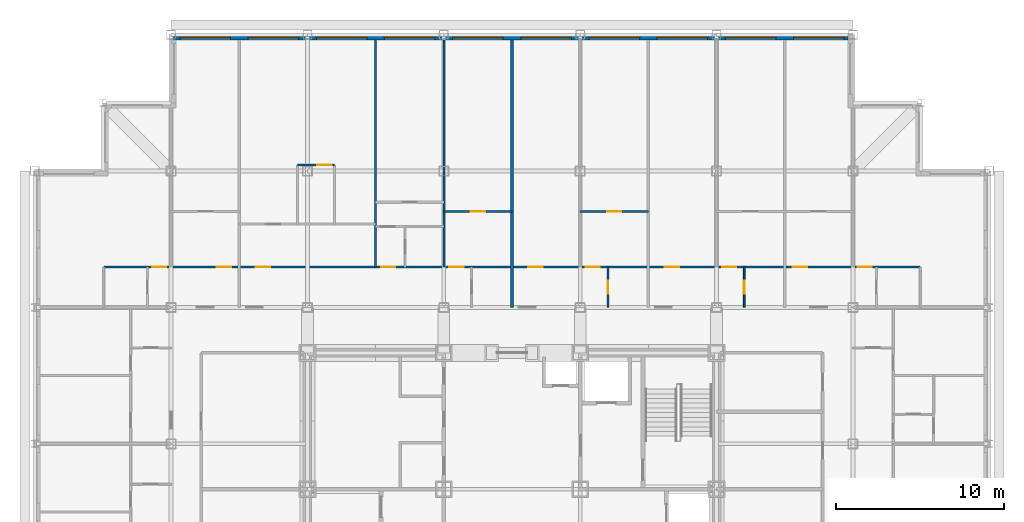
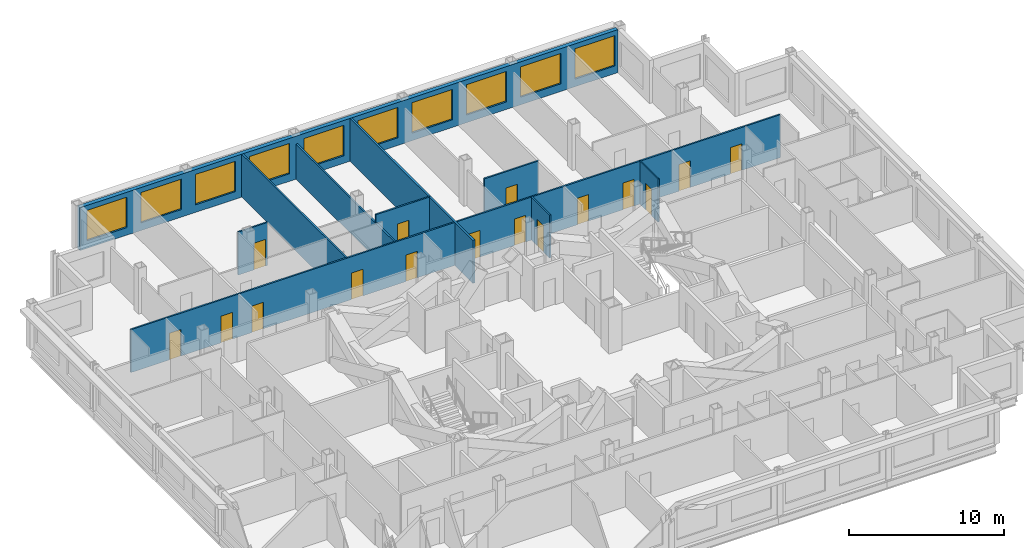
# One storey, part 10 of 12: 16 doors, 10 walls, 10 windows, 26 openings.
"""IFC4 building model written with IfcOpenShell, lengths in metres."""

from ifc_helpers import new_model, si_unit, direction, frame, frame_2d, origin, place, context, subcontext, project, spatial, rectangle, extrude, material, layer, layer_set, type_object, element, fill, save


model = new_model("IFC4")

# Units and contexts
model_context = context("Model", 3, precision=1e-05, world=origin(), true_north=direction((0.0, 1.0)))
body_context = subcontext(model_context, "Body", "Model", "MODEL_VIEW")
ifc_project = project(units=[si_unit("LENGTHUNIT", "METRE"), si_unit("AREAUNIT", "SQUARE_METRE"), si_unit("VOLUMEUNIT", "CUBIC_METRE"), si_unit("PLANEANGLEUNIT", "RADIAN"), si_unit("MASSUNIT", "GRAM", prefix="KILO")], contexts=[model_context])

# Site, building, storey
site_placement = place(None, origin())
site = spatial("IfcSite", under=ifc_project, at=site_placement, CompositionType="ELEMENT")
building_placement = place(site_placement, origin())
building = spatial("IfcBuilding", under=site, at=building_placement, Name="Kopane Lantern Tower", CompositionType="ELEMENT")
storey_placement = place(building_placement, frame((0.0, 0.0, 199.199951171875)))
storey = spatial("IfcBuildingStorey", under=building, at=storey_placement, Name="L51", CompositionType="ELEMENT", Elevation=199.199951171875)

# Walls
ifc_material_1 = material(Name="Gypsum board on steel studs", Category="steel")
ifc_layer_1 = layer(ifc_material_1, 0.1201171875)
ifc_layer_set_1 = layer_set([ifc_layer_1], Name="APARTMENT INTERNAL WALL 120")
wall_type_1 = type_object("IfcWallType", Name="APARTMENT INTERNAL WALL 120", PredefinedType="PARTITIONING", material=ifc_layer_set_1)
wall_1_placement = place(storey_placement, frame((20.25, 45.60009765625, 0.0), z_axis=(0.0, 0.0, 1.0), x_axis=(0.0, 1.0, 0.0)))
element("IfcWall", 1, at=wall_1_placement, inside=storey, type_object=wall_type_1, Name="Apartment Internal Wall 120 L51", PredefinedType="PARTITIONING", context=body_context, shape_type="SweptSolid", body=[
    extrude(rectangle(XDim=13.5, YDim=0.1201171875, at=frame_2d((6.75, 0.0))), origin(), (0.0, 0.0, 1.0), 3.39013671875),
])
wall_2_placement = place(storey_placement, frame((24.300048828125, 45.60009765625, 0.0), z_axis=(0.0, 0.0, 1.0), x_axis=(0.0, 1.0, 0.0)))
element("IfcWall", 2, at=wall_2_placement, inside=storey, type_object=wall_type_1, Name="Apartment Internal Wall 120 L51", PredefinedType="PARTITIONING", context=body_context, shape_type="SweptSolid", body=[
    extrude(rectangle(XDim=13.5, YDim=0.1201171875, at=frame_2d((6.75, 0.0))), origin(), (0.0, 0.0, 1.0), 2.77783203125),
])

# Wall, openings, doors
wall_3_placement = place(storey_placement, frame((4.10009765625, 45.60009765625, 0.0), z_axis=(0.0, 0.0, 1.0), x_axis=(1.0, 0.0, 0.0)))
wall_3 = element("IfcWall", 3, at=wall_3_placement, inside=storey, type_object=wall_type_1, Name="Apartment Internal Wall 120 L51", PredefinedType="PARTITIONING", context=body_context, shape_type="SweptSolid", body=[
    extrude(rectangle(XDim=48.5, YDim=0.1201171875, at=frame_2d((24.25, 0.0))), origin(), (0.0, 0.0, 1.0), 3.39013671875),
])
opening_1_placement = place(wall_3_placement, frame((9.02490234375, 0.0, 0.0)))
opening_1 = element("IfcOpeningElement", 4, at=opening_1_placement, cuts=wall_3, Name="Opening L51-028", PredefinedType="OPENING", context=body_context, shape_type="SweptSolid", body=[
    extrude(rectangle(XDim=0.85009765625, YDim=2.10009765625, at=frame_2d((0.425048828125, 1.050048828125))), frame((0.0, 0.070068359375, 0.0), z_axis=(0.0, -1.0, 0.0), x_axis=(1.0, 0.0, 0.0)), (0.0, 0.0, 1.0), 0.14013671875),
])
opening_2_placement = place(wall_3_placement, frame((16.47509765625, 0.0, 0.0)))
opening_2 = element("IfcOpeningElement", 5, at=opening_2_placement, cuts=wall_3, Name="Opening L51-030", PredefinedType="OPENING", context=body_context, shape_type="SweptSolid", body=[
    extrude(rectangle(XDim=0.85009765625, YDim=2.10009765625, at=frame_2d((0.425048828125, 1.050048828125))), frame((0.0, 0.070068359375, 0.0), z_axis=(0.0, -1.0, 0.0), x_axis=(1.0, 0.0, 0.0)), (0.0, 0.0, 1.0), 0.14013671875),
])
opening_3_placement = place(wall_3_placement, frame((20.52490234375, 0.0, 0.0)))
opening_3 = element("IfcOpeningElement", 6, at=opening_3_placement, cuts=wall_3, Name="Opening L51-031", PredefinedType="OPENING", context=body_context, shape_type="SweptSolid", body=[
    extrude(rectangle(XDim=0.85009765625, YDim=2.10009765625, at=frame_2d((0.425048828125, 1.050048828125))), frame((0.0, 0.070068359375, 0.0), z_axis=(0.0, -1.0, 0.0), x_axis=(1.0, 0.0, 0.0)), (0.0, 0.0, 1.0), 0.14013671875),
])
opening_4_placement = place(wall_3_placement, frame((25.22509765625, 0.0, 0.0)))
opening_4 = element("IfcOpeningElement", 7, at=opening_4_placement, cuts=wall_3, Name="Opening L51-034", PredefinedType="OPENING", context=body_context, shape_type="SweptSolid", body=[
    extrude(rectangle(XDim=0.85009765625, YDim=2.10009765625, at=frame_2d((0.425048828125, 1.050048828125))), frame((0.0, 0.070068359375, 0.0), z_axis=(0.0, -1.0, 0.0), x_axis=(1.0, 0.0, 0.0)), (0.0, 0.0, 1.0), 0.14013671875),
])
opening_5_placement = place(wall_3_placement, frame((28.625, 0.0, 0.0)))
opening_5 = element("IfcOpeningElement", 8, at=opening_5_placement, cuts=wall_3, Name="Opening L51-035", PredefinedType="OPENING", context=body_context, shape_type="SweptSolid", body=[
    extrude(rectangle(XDim=0.85009765625, YDim=2.10009765625, at=frame_2d((0.425048828125, 1.050048828125))), frame((0.0, 0.070068359375, 0.0), z_axis=(0.0, -1.0, 0.0), x_axis=(1.0, 0.0, 0.0)), (0.0, 0.0, 1.0), 0.14013671875),
])
opening_6_placement = place(wall_3_placement, frame((33.324951171875, 0.0, 0.0)))
opening_6 = element("IfcOpeningElement", 9, at=opening_6_placement, cuts=wall_3, Name="Opening L51-038", PredefinedType="OPENING", context=body_context, shape_type="SweptSolid", body=[
    extrude(rectangle(XDim=0.85009765625, YDim=2.10009765625, at=frame_2d((0.425048828125, 1.050048828125))), frame((0.0, 0.070068359375, 0.0), z_axis=(0.0, -1.0, 0.0), x_axis=(1.0, 0.0, 0.0)), (0.0, 0.0, 1.0), 0.14013671875),
])
opening_7_placement = place(wall_3_placement, frame((36.72509765625, 0.0, 0.0)))
opening_7 = element("IfcOpeningElement", 10, at=opening_7_placement, cuts=wall_3, Name="Opening L51-039", PredefinedType="OPENING", context=body_context, shape_type="SweptSolid", body=[
    extrude(rectangle(XDim=0.85009765625, YDim=2.10009765625, at=frame_2d((0.425048828125, 1.050048828125))), frame((0.0, 0.070068359375, 0.0), z_axis=(0.0, -1.0, 0.0), x_axis=(1.0, 0.0, 0.0)), (0.0, 0.0, 1.0), 0.14013671875),
])
opening_8_placement = place(wall_3_placement, frame((40.925048828125, 0.0, 0.0)))
opening_8 = element("IfcOpeningElement", 11, at=opening_8_placement, cuts=wall_3, Name="Opening L51-069", PredefinedType="OPENING", context=body_context, shape_type="SweptSolid", body=[
    extrude(rectangle(XDim=0.85009765625, YDim=2.10009765625, at=frame_2d((0.425048828125, 1.050048828125))), frame((0.0, 0.070068359375, 0.0), z_axis=(0.0, -1.0, 0.0), x_axis=(1.0, 0.0, 0.0)), (0.0, 0.0, 1.0), 0.14013671875),
])
opening_9_placement = place(wall_3_placement, frame((44.77490234375, 0.0, 0.0)))
opening_9 = element("IfcOpeningElement", 12, at=opening_9_placement, cuts=wall_3, Name="Opening L51-071", PredefinedType="OPENING", context=body_context, shape_type="SweptSolid", body=[
    extrude(rectangle(XDim=0.85009765625, YDim=2.10009765625, at=frame_2d((0.425048828125, 1.050048828125))), frame((0.0, 0.070068359375, 0.0), z_axis=(0.0, -1.0, 0.0), x_axis=(1.0, 0.0, 0.0)), (0.0, 0.0, 1.0), 0.14013671875),
])
opening_10_placement = place(wall_3_placement, frame((6.72509765625, 0.0, 0.0)))
opening_10 = element("IfcOpeningElement", 13, at=opening_10_placement, cuts=wall_3, Name="Opening L51-073", PredefinedType="OPENING", context=body_context, shape_type="SweptSolid", body=[
    extrude(rectangle(XDim=0.85009765625, YDim=2.10009765625, at=frame_2d((0.425048828125, 1.050048828125))), frame((0.0, 0.070068359375, 0.0), z_axis=(0.0, -1.0, 0.0), x_axis=(1.0, 0.0, 0.0)), (0.0, 0.0, 1.0), 0.14013671875),
])
opening_11_placement = place(wall_3_placement, frame((2.875, 0.0, 0.0)))
opening_11 = element("IfcOpeningElement", 14, at=opening_11_placement, cuts=wall_3, Name="Opening L51-075", PredefinedType="OPENING", context=body_context, shape_type="SweptSolid", body=[
    extrude(rectangle(XDim=0.85009765625, YDim=2.10009765625, at=frame_2d((0.425048828125, 1.050048828125))), frame((0.0, 0.070068359375, 0.0), z_axis=(0.0, -1.0, 0.0), x_axis=(1.0, 0.0, 0.0)), (0.0, 0.0, 1.0), 0.14013671875),
])
ifc_material_2 = material(Name="Timber door set", Category="wood")
door_type_1 = type_object("IfcDoorType", Name="DOOR D4 850x2100", OperationType="SINGLE_SWING_LEFT", PredefinedType="DOOR", material=ifc_material_2)
door_1_placement = place(opening_1_placement, origin())
door_1 = element("IfcDoor", 15, at=door_1_placement, inside=storey, type_object=door_type_1, Name="Door L51-028", OperationType="SINGLE_SWING_LEFT", OverallHeight=2.10009765625, OverallWidth=0.85009765625, PredefinedType="DOOR", context=body_context, shape_type="SweptSolid", body=[
    extrude(rectangle(XDim=0.85009765625, YDim=2.10009765625, at=frame_2d((0.425048828125, 1.050048828125))), frame((0.0, 0.02490234375, 0.0), z_axis=(0.0, -1.0, 0.0), x_axis=(1.0, 0.0, 0.0)), (0.0, 0.0, 1.0), 0.050048828125),
])
fill(opening_1, door_1)
door_2_placement = place(opening_2_placement, origin())
door_2 = element("IfcDoor", 16, at=door_2_placement, inside=storey, type_object=door_type_1, Name="Door L51-030", OperationType="SINGLE_SWING_LEFT", OverallHeight=2.10009765625, OverallWidth=0.85009765625, PredefinedType="DOOR", context=body_context, shape_type="SweptSolid", body=[
    extrude(rectangle(XDim=0.85009765625, YDim=2.10009765625, at=frame_2d((0.425048828125, 1.050048828125))), frame((0.0, 0.02490234375, 0.0), z_axis=(0.0, -1.0, 0.0), x_axis=(1.0, 0.0, 0.0)), (0.0, 0.0, 1.0), 0.050048828125),
])
fill(opening_2, door_2)
door_3_placement = place(opening_3_placement, origin())
door_3 = element("IfcDoor", 17, at=door_3_placement, inside=storey, type_object=door_type_1, Name="Door L51-031", OperationType="SINGLE_SWING_LEFT", OverallHeight=2.10009765625, OverallWidth=0.85009765625, PredefinedType="DOOR", context=body_context, shape_type="SweptSolid", body=[
    extrude(rectangle(XDim=0.85009765625, YDim=2.10009765625, at=frame_2d((0.425048828125, 1.050048828125))), frame((0.0, 0.02490234375, 0.0), z_axis=(0.0, -1.0, 0.0), x_axis=(1.0, 0.0, 0.0)), (0.0, 0.0, 1.0), 0.050048828125),
])
fill(opening_3, door_3)
door_4_placement = place(opening_4_placement, origin())
door_4 = element("IfcDoor", 18, at=door_4_placement, inside=storey, type_object=door_type_1, Name="Door L51-034", OperationType="SINGLE_SWING_RIGHT", OverallHeight=2.10009765625, OverallWidth=0.85009765625, PredefinedType="DOOR", context=body_context, shape_type="SweptSolid", body=[
    extrude(rectangle(XDim=0.85009765625, YDim=2.10009765625, at=frame_2d((0.425048828125, 1.050048828125))), frame((0.0, 0.02490234375, 0.0), z_axis=(0.0, -1.0, 0.0), x_axis=(1.0, 0.0, 0.0)), (0.0, 0.0, 1.0), 0.050048828125),
])
fill(opening_4, door_4)
door_5_placement = place(opening_5_placement, origin())
door_5 = element("IfcDoor", 19, at=door_5_placement, inside=storey, type_object=door_type_1, Name="Door L51-035", OperationType="SINGLE_SWING_LEFT", OverallHeight=2.10009765625, OverallWidth=0.85009765625, PredefinedType="DOOR", context=body_context, shape_type="SweptSolid", body=[
    extrude(rectangle(XDim=0.85009765625, YDim=2.10009765625, at=frame_2d((0.425048828125, 1.050048828125))), frame((0.0, 0.02490234375, 0.0), z_axis=(0.0, -1.0, 0.0), x_axis=(1.0, 0.0, 0.0)), (0.0, 0.0, 1.0), 0.050048828125),
])
fill(opening_5, door_5)
door_6_placement = place(opening_6_placement, origin())
door_6 = element("IfcDoor", 20, at=door_6_placement, inside=storey, type_object=door_type_1, Name="Door L51-038", OperationType="SINGLE_SWING_RIGHT", OverallHeight=2.10009765625, OverallWidth=0.85009765625, PredefinedType="DOOR", context=body_context, shape_type="SweptSolid", body=[
    extrude(rectangle(XDim=0.85009765625, YDim=2.10009765625, at=frame_2d((0.425048828125, 1.050048828125))), frame((0.0, 0.02490234375, 0.0), z_axis=(0.0, -1.0, 0.0), x_axis=(1.0, 0.0, 0.0)), (0.0, 0.0, 1.0), 0.050048828125),
])
fill(opening_6, door_6)
door_7_placement = place(opening_7_placement, origin())
door_7 = element("IfcDoor", 21, at=door_7_placement, inside=storey, type_object=door_type_1, Name="Door L51-039", OperationType="SINGLE_SWING_LEFT", OverallHeight=2.10009765625, OverallWidth=0.85009765625, PredefinedType="DOOR", context=body_context, shape_type="SweptSolid", body=[
    extrude(rectangle(XDim=0.85009765625, YDim=2.10009765625, at=frame_2d((0.425048828125, 1.050048828125))), frame((0.0, 0.02490234375, 0.0), z_axis=(0.0, -1.0, 0.0), x_axis=(1.0, 0.0, 0.0)), (0.0, 0.0, 1.0), 0.050048828125),
])
fill(opening_7, door_7)
door_8_placement = place(opening_8_placement, origin())
door_8 = element("IfcDoor", 22, at=door_8_placement, inside=storey, type_object=door_type_1, Name="Door L51-069", OperationType="SINGLE_SWING_RIGHT", OverallHeight=2.10009765625, OverallWidth=0.85009765625, PredefinedType="DOOR", context=body_context, shape_type="SweptSolid", body=[
    extrude(rectangle(XDim=0.85009765625, YDim=2.10009765625, at=frame_2d((0.425048828125, 1.050048828125))), frame((0.0, 0.02490234375, 0.0), z_axis=(0.0, -1.0, 0.0), x_axis=(1.0, 0.0, 0.0)), (0.0, 0.0, 1.0), 0.050048828125),
])
fill(opening_8, door_8)
door_9_placement = place(opening_9_placement, origin())
door_9 = element("IfcDoor", 23, at=door_9_placement, inside=storey, type_object=door_type_1, Name="Door L51-071", OperationType="SINGLE_SWING_LEFT", OverallHeight=2.10009765625, OverallWidth=0.85009765625, PredefinedType="DOOR", context=body_context, shape_type="SweptSolid", body=[
    extrude(rectangle(XDim=0.85009765625, YDim=2.10009765625, at=frame_2d((0.425048828125, 1.050048828125))), frame((0.0, 0.02490234375, 0.0), z_axis=(0.0, -1.0, 0.0), x_axis=(1.0, 0.0, 0.0)), (0.0, 0.0, 1.0), 0.050048828125),
])
fill(opening_9, door_9)
door_10_placement = place(opening_10_placement, origin())
door_10 = element("IfcDoor", 24, at=door_10_placement, inside=storey, type_object=door_type_1, Name="Door L51-073", OperationType="SINGLE_SWING_LEFT", OverallHeight=2.10009765625, OverallWidth=0.85009765625, PredefinedType="DOOR", context=body_context, shape_type="SweptSolid", body=[
    extrude(rectangle(XDim=0.85009765625, YDim=2.10009765625, at=frame_2d((0.425048828125, 1.050048828125))), frame((0.0, 0.02490234375, 0.0), z_axis=(0.0, -1.0, 0.0), x_axis=(1.0, 0.0, 0.0)), (0.0, 0.0, 1.0), 0.050048828125),
])
fill(opening_10, door_10)
door_11_placement = place(opening_11_placement, origin())
door_11 = element("IfcDoor", 25, at=door_11_placement, inside=storey, type_object=door_type_1, Name="Door L51-075", OperationType="SINGLE_SWING_RIGHT", OverallHeight=2.10009765625, OverallWidth=0.85009765625, PredefinedType="DOOR", context=body_context, shape_type="SweptSolid", body=[
    extrude(rectangle(XDim=0.85009765625, YDim=2.10009765625, at=frame_2d((0.425048828125, 1.050048828125))), frame((0.0, 0.02490234375, 0.0), z_axis=(0.0, -1.0, 0.0), x_axis=(1.0, 0.0, 0.0)), (0.0, 0.0, 1.0), 0.050048828125),
])
fill(opening_11, door_11)

# Wall, opening, door
wall_4_placement = place(storey_placement, frame((24.300048828125, 48.89990234375, 0.0), z_axis=(0.0, 0.0, 1.0), x_axis=(1.0, 0.0, 0.0)))
wall_4 = element("IfcWall", 26, at=wall_4_placement, inside=storey, type_object=wall_type_1, Name="Apartment Internal Wall 120 L51", PredefinedType="PARTITIONING", context=body_context, shape_type="SweptSolid", body=[
    extrude(rectangle(XDim=4.050048828125, YDim=0.1201171875, at=frame_2d((2.02490234375, 0.0))), origin(), (0.0, 0.0, 1.0), 3.39013671875),
])
opening_12_placement = place(wall_4_placement, frame((1.60009765625, 0.0, 0.0)))
opening_12 = element("IfcOpeningElement", 27, at=opening_12_placement, cuts=wall_4, Name="Opening L51-080", PredefinedType="OPENING", context=body_context, shape_type="SweptSolid", body=[
    extrude(rectangle(XDim=0.85009765625, YDim=2.10009765625, at=frame_2d((0.425048828125, 1.050048828125))), frame((0.0, 0.070068359375, 0.0), z_axis=(0.0, -1.0, 0.0), x_axis=(1.0, 0.0, 0.0)), (0.0, 0.0, 1.0), 0.14013671875),
])
door_12_placement = place(opening_12_placement, origin())
door_12 = element("IfcDoor", 28, at=door_12_placement, inside=storey, type_object=door_type_1, Name="Door L51-080", OperationType="SINGLE_SWING_RIGHT", OverallHeight=2.10009765625, OverallWidth=0.85009765625, PredefinedType="DOOR", context=body_context, shape_type="SweptSolid", body=[
    extrude(rectangle(XDim=0.85009765625, YDim=2.10009765625, at=frame_2d((0.425048828125, 1.050048828125))), frame((0.0, 0.02490234375, 0.0), z_axis=(0.0, -1.0, 0.0), x_axis=(1.0, 0.0, 0.0)), (0.0, 0.0, 1.0), 0.050048828125),
])
fill(opening_12, door_12)

wall_5_placement = place(storey_placement, frame((32.39990234375, 48.89990234375, 0.0), z_axis=(0.0, 0.0, 1.0), x_axis=(1.0, 0.0, 0.0)))
wall_5 = element("IfcWall", 29, at=wall_5_placement, inside=storey, type_object=wall_type_1, Name="Apartment Internal Wall 120 L51", PredefinedType="PARTITIONING", context=body_context, shape_type="SweptSolid", body=[
    extrude(rectangle(XDim=4.050048828125, YDim=0.1201171875, at=frame_2d((2.02490234375, 0.0))), origin(), (0.0, 0.0, 1.0), 3.39013671875),
])
opening_13_placement = place(wall_5_placement, frame((1.60009765625, 0.0, 0.0)))
opening_13 = element("IfcOpeningElement", 30, at=opening_13_placement, cuts=wall_5, Name="Opening L51-081", PredefinedType="OPENING", context=body_context, shape_type="SweptSolid", body=[
    extrude(rectangle(XDim=0.85009765625, YDim=2.10009765625, at=frame_2d((0.425048828125, 1.050048828125))), frame((0.0, 0.070068359375, 0.0), z_axis=(0.0, -1.0, 0.0), x_axis=(1.0, 0.0, 0.0)), (0.0, 0.0, 1.0), 0.14013671875),
])
door_13_placement = place(opening_13_placement, origin())
door_13 = element("IfcDoor", 31, at=door_13_placement, inside=storey, type_object=door_type_1, Name="Door L51-081", OperationType="SINGLE_SWING_RIGHT", OverallHeight=2.10009765625, OverallWidth=0.85009765625, PredefinedType="DOOR", context=body_context, shape_type="SweptSolid", body=[
    extrude(rectangle(XDim=0.85009765625, YDim=2.10009765625, at=frame_2d((0.425048828125, 1.050048828125))), frame((0.0, 0.02490234375, 0.0), z_axis=(0.0, -1.0, 0.0), x_axis=(1.0, 0.0, 0.0)), (0.0, 0.0, 1.0), 0.050048828125),
])
fill(opening_13, door_13)

wall_6_placement = place(storey_placement, frame((15.60009765625, 51.659912109375, 0.0), z_axis=(0.0, 0.0, 1.0), x_axis=(1.0, 0.0, 0.0)))
wall_6 = element("IfcWall", 32, at=wall_6_placement, inside=storey, type_object=wall_type_1, Name="Apartment Internal Wall 120 L51", PredefinedType="PARTITIONING", context=body_context, shape_type="SweptSolid", body=[
    extrude(rectangle(XDim=2.199951171875, YDim=0.1201171875, at=frame_2d((1.10009765625, 0.0))), origin(), (0.0, 0.0, 1.0), 3.39013671875),
])
opening_14_placement = place(wall_6_placement, frame((1.18994140625, 0.0, 0.0)))
opening_14 = element("IfcOpeningElement", 33, at=opening_14_placement, cuts=wall_6, Name="Opening L51-085", PredefinedType="OPENING", context=body_context, shape_type="SweptSolid", body=[
    extrude(rectangle(XDim=0.85009765625, YDim=2.10009765625, at=frame_2d((0.425048828125, 1.050048828125))), frame((0.0, 0.070068359375, 0.0), z_axis=(0.0, -1.0, 0.0), x_axis=(1.0, 0.0, 0.0)), (0.0, 0.0, 1.0), 0.14013671875),
])
door_14_placement = place(opening_14_placement, origin())
door_14 = element("IfcDoor", 34, at=door_14_placement, inside=storey, type_object=door_type_1, Name="Door L51-085", OperationType="SINGLE_SWING_LEFT", OverallHeight=2.10009765625, OverallWidth=0.85009765625, PredefinedType="DOOR", context=body_context, shape_type="SweptSolid", body=[
    extrude(rectangle(XDim=0.85009765625, YDim=2.10009765625, at=frame_2d((0.425048828125, 1.050048828125))), frame((0.0, 0.02490234375, 0.0), z_axis=(0.0, -1.0, 0.0), x_axis=(1.0, 0.0, 0.0)), (0.0, 0.0, 1.0), 0.050048828125),
])
fill(opening_14, door_14)

ifc_material_3 = material(Name="Moisture-resistant board on steel studs", Category="steel")
ifc_layer_2 = layer(ifc_material_3, 0.10009765625)
ifc_layer_set_2 = layer_set([ifc_layer_2], Name="BATHROOM WALL 100")
wall_type_2 = type_object("IfcWallType", Name="BATHROOM WALL 100", PredefinedType="PARTITIONING", material=ifc_layer_set_2)
wall_7_placement = place(storey_placement, frame((34.050048828125, 43.199951171875, 0.0), z_axis=(0.0, 0.0, 1.0), x_axis=(0.0, 1.0, 0.0)))
wall_7 = element("IfcWall", 35, at=wall_7_placement, inside=storey, type_object=wall_type_2, Name="Bathroom Wall 100 L51", PredefinedType="PARTITIONING", context=body_context, shape_type="SweptSolid", body=[
    extrude(rectangle(XDim=2.400146484375, YDim=0.10009765625, at=frame_2d((1.2001953125, 0.0))), origin(), (0.0, 0.0, 1.0), 3.39013671875),
])
opening_15_placement = place(wall_7_placement, frame((0.800048828125, 0.0, 0.0)))
opening_15 = element("IfcOpeningElement", 36, at=opening_15_placement, cuts=wall_7, Name="Opening L51-032", PredefinedType="OPENING", context=body_context, shape_type="SweptSolid", body=[
    extrude(rectangle(XDim=0.800048828125, YDim=2.10009765625, at=frame_2d((0.39990234375, 1.050048828125))), frame((0.0, 0.06005859375, 0.0), z_axis=(0.0, -1.0, 0.0), x_axis=(1.0, 0.0, 0.0)), (0.0, 0.0, 1.0), 0.1201171875),
])
ifc_material_4 = material(Name="Timber door set", Category="wood")
door_type_2 = type_object("IfcDoorType", Name="DOOR D2 800x2100", OperationType="SINGLE_SWING_LEFT", PredefinedType="DOOR", material=ifc_material_4)
door_15_placement = place(opening_15_placement, origin())
door_15 = element("IfcDoor", 37, at=door_15_placement, inside=storey, type_object=door_type_2, Name="Door L51-032", OperationType="SINGLE_SWING_RIGHT", OverallHeight=2.10009765625, OverallWidth=0.800048828125, PredefinedType="DOOR", context=body_context, shape_type="SweptSolid", body=[
    extrude(rectangle(XDim=0.800048828125, YDim=2.10009765625, at=frame_2d((0.39990234375, 1.050048828125))), frame((0.0, 0.02490234375, 0.0), z_axis=(0.0, -1.0, 0.0), x_axis=(1.0, 0.0, 0.0)), (0.0, 0.0, 1.0), 0.050048828125),
])
fill(opening_15, door_15)

wall_8_placement = place(storey_placement, frame((42.14990234375, 43.199951171875, 0.0), z_axis=(0.0, 0.0, 1.0), x_axis=(0.0, 1.0, 0.0)))
wall_8 = element("IfcWall", 38, at=wall_8_placement, inside=storey, type_object=wall_type_2, Name="Bathroom Wall 100 L51", PredefinedType="PARTITIONING", context=body_context, shape_type="SweptSolid", body=[
    extrude(rectangle(XDim=2.400146484375, YDim=0.10009765625, at=frame_2d((1.2001953125, 0.0))), origin(), (0.0, 0.0, 1.0), 3.39013671875),
])
opening_16_placement = place(wall_8_placement, frame((0.800048828125, 0.0, 0.0)))
opening_16 = element("IfcOpeningElement", 39, at=opening_16_placement, cuts=wall_8, Name="Opening L51-036", PredefinedType="OPENING", context=body_context, shape_type="SweptSolid", body=[
    extrude(rectangle(XDim=0.800048828125, YDim=2.10009765625, at=frame_2d((0.39990234375, 1.050048828125))), frame((0.0, 0.06005859375, 0.0), z_axis=(0.0, -1.0, 0.0), x_axis=(1.0, 0.0, 0.0)), (0.0, 0.0, 1.0), 0.1201171875),
])
door_16_placement = place(opening_16_placement, origin())
door_16 = element("IfcDoor", 40, at=door_16_placement, inside=storey, type_object=door_type_2, Name="Door L51-036", OperationType="SINGLE_SWING_RIGHT", OverallHeight=2.10009765625, OverallWidth=0.800048828125, PredefinedType="DOOR", context=body_context, shape_type="SweptSolid", body=[
    extrude(rectangle(XDim=0.800048828125, YDim=2.10009765625, at=frame_2d((0.39990234375, 1.050048828125))), frame((0.0, 0.02490234375, 0.0), z_axis=(0.0, -1.0, 0.0), x_axis=(1.0, 0.0, 0.0)), (0.0, 0.0, 1.0), 0.050048828125),
])
fill(opening_16, door_16)

# Wall
ifc_material_5 = material(Name="Gypsum board on steel studs", Category="steel")
ifc_layer_3 = layer(ifc_material_5, 0.14990234375)
ifc_layer_set_3 = layer_set([ifc_layer_3], Name="DEMISING WALL 150 EI 60")
wall_type_3 = type_object("IfcWallType", Name="DEMISING WALL 150 EI 60", PredefinedType="PARTITIONING", material=ifc_layer_set_3)
wall_9_placement = place(storey_placement, frame((28.35009765625, 43.199951171875, 0.0), z_axis=(0.0, 0.0, 1.0), x_axis=(0.0, 1.0, 0.0)))
element("IfcWall", 41, at=wall_9_placement, inside=storey, type_object=wall_type_3, Name="Demising Wall 150 Ei 60 L51", PredefinedType="PARTITIONING", context=body_context, shape_type="SweptSolid", body=[
    extrude(rectangle(XDim=15.900146484375, YDim=0.14990234375, at=frame_2d((7.9501953125, 0.0))), origin(), (0.0, 0.0, 1.0), 3.39013671875),
])

# Wall, openings, windows
ifc_material_6 = material(Name="Terracotta rainscreen on light steel framing", Category="masonry")
ifc_layer_4 = layer(ifc_material_6, 0.300048828125)
ifc_layer_set_4 = layer_set([ifc_layer_4], Name="EXTERNAL WALL EW1 300 TERRACOTTA")
wall_type_4 = type_object("IfcWallType", Name="EXTERNAL WALL EW1 300 TERRACOTTA", PredefinedType="SOLIDWALL", material=ifc_layer_set_4)
wall_10_placement = place(storey_placement, frame((48.300048828125, 59.25, 0.0), z_axis=(0.0, 0.0, 1.0), x_axis=(-1.0, 0.0, 0.0)))
wall_10 = element("IfcWall", 42, at=wall_10_placement, inside=storey, type_object=wall_type_4, Name="External wall N L51", PredefinedType="SOLIDWALL", context=body_context, shape_type="SweptSolid", body=[
    extrude(rectangle(XDim=40.199951171875, YDim=0.300048828125, at=frame_2d((20.10009765625, 0.0))), origin(), (0.0, 0.0, 1.0), 3.39013671875),
])
opening_17_placement = place(wall_10_placement, frame((0.22509765625, 0.0, 0.60009765625)))
opening_17 = element("IfcOpeningElement", 43, at=opening_17_placement, cuts=wall_10, Name="Opening WR300240", PredefinedType="OPENING", context=body_context, shape_type="SweptSolid", body=[
    extrude(rectangle(XDim=3.0, YDim=2.39990234375, at=frame_2d((1.5, 1.199951171875))), frame((0.0, 0.159912109375, 0.0), z_axis=(0.0, -1.0, 0.0), x_axis=(1.0, 0.0, 0.0)), (0.0, 0.0, 1.0), 0.320068359375),
])
opening_18_placement = place(wall_10_placement, frame((4.27490234375, 0.0, 0.60009765625)))
opening_18 = element("IfcOpeningElement", 44, at=opening_18_placement, cuts=wall_10, Name="Opening WR300240", PredefinedType="OPENING", context=body_context, shape_type="SweptSolid", body=[
    extrude(rectangle(XDim=3.0, YDim=2.39990234375, at=frame_2d((1.5, 1.199951171875))), frame((0.0, 0.159912109375, 0.0), z_axis=(0.0, -1.0, 0.0), x_axis=(1.0, 0.0, 0.0)), (0.0, 0.0, 1.0), 0.320068359375),
])
opening_19_placement = place(wall_10_placement, frame((8.324951171875, 0.0, 0.60009765625)))
opening_19 = element("IfcOpeningElement", 45, at=opening_19_placement, cuts=wall_10, Name="Opening WR300240", PredefinedType="OPENING", context=body_context, shape_type="SweptSolid", body=[
    extrude(rectangle(XDim=3.0, YDim=2.39990234375, at=frame_2d((1.5, 1.199951171875))), frame((0.0, 0.159912109375, 0.0), z_axis=(0.0, -1.0, 0.0), x_axis=(1.0, 0.0, 0.0)), (0.0, 0.0, 1.0), 0.320068359375),
])
opening_20_placement = place(wall_10_placement, frame((12.375, 0.0, 0.60009765625)))
opening_20 = element("IfcOpeningElement", 46, at=opening_20_placement, cuts=wall_10, Name="Opening WR300240", PredefinedType="OPENING", context=body_context, shape_type="SweptSolid", body=[
    extrude(rectangle(XDim=3.0, YDim=2.39990234375, at=frame_2d((1.5, 1.199951171875))), frame((0.0, 0.159912109375, 0.0), z_axis=(0.0, -1.0, 0.0), x_axis=(1.0, 0.0, 0.0)), (0.0, 0.0, 1.0), 0.320068359375),
])
opening_21_placement = place(wall_10_placement, frame((16.425048828125, 0.0, 0.60009765625)))
opening_21 = element("IfcOpeningElement", 47, at=opening_21_placement, cuts=wall_10, Name="Opening WR300240", PredefinedType="OPENING", context=body_context, shape_type="SweptSolid", body=[
    extrude(rectangle(XDim=3.0, YDim=2.39990234375, at=frame_2d((1.5, 1.199951171875))), frame((0.0, 0.159912109375, 0.0), z_axis=(0.0, -1.0, 0.0), x_axis=(1.0, 0.0, 0.0)), (0.0, 0.0, 1.0), 0.320068359375),
])
opening_22_placement = place(wall_10_placement, frame((20.47509765625, 0.0, 0.60009765625)))
opening_22 = element("IfcOpeningElement", 48, at=opening_22_placement, cuts=wall_10, Name="Opening WR300240", PredefinedType="OPENING", context=body_context, shape_type="SweptSolid", body=[
    extrude(rectangle(XDim=3.0, YDim=2.39990234375, at=frame_2d((1.5, 1.199951171875))), frame((0.0, 0.159912109375, 0.0), z_axis=(0.0, -1.0, 0.0), x_axis=(1.0, 0.0, 0.0)), (0.0, 0.0, 1.0), 0.320068359375),
])
opening_23_placement = place(wall_10_placement, frame((24.52490234375, 0.0, 0.60009765625)))
opening_23 = element("IfcOpeningElement", 49, at=opening_23_placement, cuts=wall_10, Name="Opening WR300240", PredefinedType="OPENING", context=body_context, shape_type="SweptSolid", body=[
    extrude(rectangle(XDim=3.0, YDim=2.39990234375, at=frame_2d((1.5, 1.199951171875))), frame((0.0, 0.159912109375, 0.0), z_axis=(0.0, -1.0, 0.0), x_axis=(1.0, 0.0, 0.0)), (0.0, 0.0, 1.0), 0.320068359375),
])
opening_24_placement = place(wall_10_placement, frame((28.574951171875, 0.0, 0.60009765625)))
opening_24 = element("IfcOpeningElement", 50, at=opening_24_placement, cuts=wall_10, Name="Opening WR300240", PredefinedType="OPENING", context=body_context, shape_type="SweptSolid", body=[
    extrude(rectangle(XDim=3.0, YDim=2.39990234375, at=frame_2d((1.5, 1.199951171875))), frame((0.0, 0.159912109375, 0.0), z_axis=(0.0, -1.0, 0.0), x_axis=(1.0, 0.0, 0.0)), (0.0, 0.0, 1.0), 0.320068359375),
])
opening_25_placement = place(wall_10_placement, frame((32.625, 0.0, 0.60009765625)))
opening_25 = element("IfcOpeningElement", 51, at=opening_25_placement, cuts=wall_10, Name="Opening WR300240", PredefinedType="OPENING", context=body_context, shape_type="SweptSolid", body=[
    extrude(rectangle(XDim=3.0, YDim=2.39990234375, at=frame_2d((1.5, 1.199951171875))), frame((0.0, 0.159912109375, 0.0), z_axis=(0.0, -1.0, 0.0), x_axis=(1.0, 0.0, 0.0)), (0.0, 0.0, 1.0), 0.320068359375),
])
opening_26_placement = place(wall_10_placement, frame((36.675048828125, 0.0, 0.60009765625)))
opening_26 = element("IfcOpeningElement", 52, at=opening_26_placement, cuts=wall_10, Name="Opening WR300240", PredefinedType="OPENING", context=body_context, shape_type="SweptSolid", body=[
    extrude(rectangle(XDim=3.0, YDim=2.39990234375, at=frame_2d((1.5, 1.199951171875))), frame((0.0, 0.159912109375, 0.0), z_axis=(0.0, -1.0, 0.0), x_axis=(1.0, 0.0, 0.0)), (0.0, 0.0, 1.0), 0.320068359375),
])
ifc_material_7 = material(Name="Aluminium and clear glass", Category="aluminium")
window_type = type_object("IfcWindowType", Name="RIBBON WINDOW WR300240 3000x2400", PartitioningType="SINGLE_PANEL", PredefinedType="WINDOW", material=ifc_material_7)
window_1_placement = place(opening_17_placement, origin())
window_1 = element("IfcWindow", 53, at=window_1_placement, inside=storey, type_object=window_type, Name="Window N L51", OverallHeight=2.39990234375, OverallWidth=3.0, PartitioningType="SINGLE_PANEL", PredefinedType="WINDOW", context=body_context, shape_type="SweptSolid", body=[
    extrude(rectangle(XDim=3.0, YDim=2.39990234375, at=frame_2d((1.5, 1.199951171875))), frame((0.0, 0.030029296875, 0.0), z_axis=(0.0, -1.0, 0.0), x_axis=(1.0, 0.0, 0.0)), (0.0, 0.0, 1.0), 0.06005859375),
])
fill(opening_17, window_1)
window_2_placement = place(opening_18_placement, origin())
window_2 = element("IfcWindow", 54, at=window_2_placement, inside=storey, type_object=window_type, Name="Window N L51", OverallHeight=2.39990234375, OverallWidth=3.0, PartitioningType="SINGLE_PANEL", PredefinedType="WINDOW", context=body_context, shape_type="SweptSolid", body=[
    extrude(rectangle(XDim=3.0, YDim=2.39990234375, at=frame_2d((1.5, 1.199951171875))), frame((0.0, 0.030029296875, 0.0), z_axis=(0.0, -1.0, 0.0), x_axis=(1.0, 0.0, 0.0)), (0.0, 0.0, 1.0), 0.06005859375),
])
fill(opening_18, window_2)
window_3_placement = place(opening_19_placement, origin())
window_3 = element("IfcWindow", 55, at=window_3_placement, inside=storey, type_object=window_type, Name="Window N L51", OverallHeight=2.39990234375, OverallWidth=3.0, PartitioningType="SINGLE_PANEL", PredefinedType="WINDOW", context=body_context, shape_type="SweptSolid", body=[
    extrude(rectangle(XDim=3.0, YDim=2.39990234375, at=frame_2d((1.5, 1.199951171875))), frame((0.0, 0.030029296875, 0.0), z_axis=(0.0, -1.0, 0.0), x_axis=(1.0, 0.0, 0.0)), (0.0, 0.0, 1.0), 0.06005859375),
])
fill(opening_19, window_3)
window_4_placement = place(opening_20_placement, origin())
window_4 = element("IfcWindow", 56, at=window_4_placement, inside=storey, type_object=window_type, Name="Window N L51", OverallHeight=2.39990234375, OverallWidth=3.0, PartitioningType="SINGLE_PANEL", PredefinedType="WINDOW", context=body_context, shape_type="SweptSolid", body=[
    extrude(rectangle(XDim=3.0, YDim=2.39990234375, at=frame_2d((1.5, 1.199951171875))), frame((0.0, 0.030029296875, 0.0), z_axis=(0.0, -1.0, 0.0), x_axis=(1.0, 0.0, 0.0)), (0.0, 0.0, 1.0), 0.06005859375),
])
fill(opening_20, window_4)
window_5_placement = place(opening_21_placement, origin())
window_5 = element("IfcWindow", 57, at=window_5_placement, inside=storey, type_object=window_type, Name="Window N L51", OverallHeight=2.39990234375, OverallWidth=3.0, PartitioningType="SINGLE_PANEL", PredefinedType="WINDOW", context=body_context, shape_type="SweptSolid", body=[
    extrude(rectangle(XDim=3.0, YDim=2.39990234375, at=frame_2d((1.5, 1.199951171875))), frame((0.0, 0.030029296875, 0.0), z_axis=(0.0, -1.0, 0.0), x_axis=(1.0, 0.0, 0.0)), (0.0, 0.0, 1.0), 0.06005859375),
])
fill(opening_21, window_5)
window_6_placement = place(opening_22_placement, origin())
window_6 = element("IfcWindow", 58, at=window_6_placement, inside=storey, type_object=window_type, Name="Window N L51", OverallHeight=2.39990234375, OverallWidth=3.0, PartitioningType="SINGLE_PANEL", PredefinedType="WINDOW", context=body_context, shape_type="SweptSolid", body=[
    extrude(rectangle(XDim=3.0, YDim=2.39990234375, at=frame_2d((1.5, 1.199951171875))), frame((0.0, 0.030029296875, 0.0), z_axis=(0.0, -1.0, 0.0), x_axis=(1.0, 0.0, 0.0)), (0.0, 0.0, 1.0), 0.06005859375),
])
fill(opening_22, window_6)
window_7_placement = place(opening_23_placement, origin())
window_7 = element("IfcWindow", 59, at=window_7_placement, inside=storey, type_object=window_type, Name="Window N L51", OverallHeight=2.39990234375, OverallWidth=3.0, PartitioningType="SINGLE_PANEL", PredefinedType="WINDOW", context=body_context, shape_type="SweptSolid", body=[
    extrude(rectangle(XDim=3.0, YDim=2.39990234375, at=frame_2d((1.5, 1.199951171875))), frame((0.0, 0.030029296875, 0.0), z_axis=(0.0, -1.0, 0.0), x_axis=(1.0, 0.0, 0.0)), (0.0, 0.0, 1.0), 0.06005859375),
])
fill(opening_23, window_7)
window_8_placement = place(opening_24_placement, origin())
window_8 = element("IfcWindow", 60, at=window_8_placement, inside=storey, type_object=window_type, Name="Window N L51", OverallHeight=2.39990234375, OverallWidth=3.0, PartitioningType="SINGLE_PANEL", PredefinedType="WINDOW", context=body_context, shape_type="SweptSolid", body=[
    extrude(rectangle(XDim=3.0, YDim=2.39990234375, at=frame_2d((1.5, 1.199951171875))), frame((0.0, 0.030029296875, 0.0), z_axis=(0.0, -1.0, 0.0), x_axis=(1.0, 0.0, 0.0)), (0.0, 0.0, 1.0), 0.06005859375),
])
fill(opening_24, window_8)
window_9_placement = place(opening_25_placement, origin())
window_9 = element("IfcWindow", 61, at=window_9_placement, inside=storey, type_object=window_type, Name="Window N L51", OverallHeight=2.39990234375, OverallWidth=3.0, PartitioningType="SINGLE_PANEL", PredefinedType="WINDOW", context=body_context, shape_type="SweptSolid", body=[
    extrude(rectangle(XDim=3.0, YDim=2.39990234375, at=frame_2d((1.5, 1.199951171875))), frame((0.0, 0.030029296875, 0.0), z_axis=(0.0, -1.0, 0.0), x_axis=(1.0, 0.0, 0.0)), (0.0, 0.0, 1.0), 0.06005859375),
])
fill(opening_25, window_9)
window_10_placement = place(opening_26_placement, origin())
window_10 = element("IfcWindow", 62, at=window_10_placement, inside=storey, type_object=window_type, Name="Window N L51", OverallHeight=2.39990234375, OverallWidth=3.0, PartitioningType="SINGLE_PANEL", PredefinedType="WINDOW", context=body_context, shape_type="SweptSolid", body=[
    extrude(rectangle(XDim=3.0, YDim=2.39990234375, at=frame_2d((1.5, 1.199951171875))), frame((0.0, 0.030029296875, 0.0), z_axis=(0.0, -1.0, 0.0), x_axis=(1.0, 0.0, 0.0)), (0.0, 0.0, 1.0), 0.06005859375),
])
fill(opening_26, window_10)

save(model, "model.ifc")
